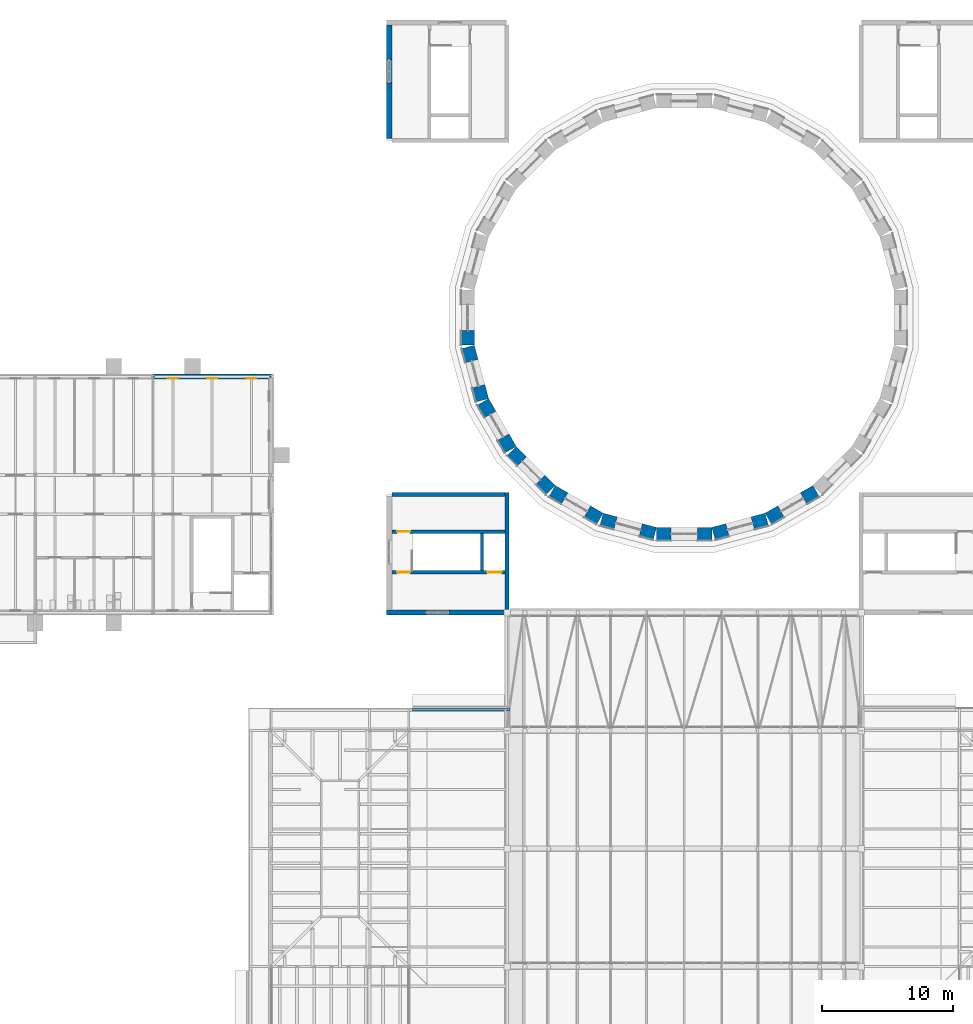
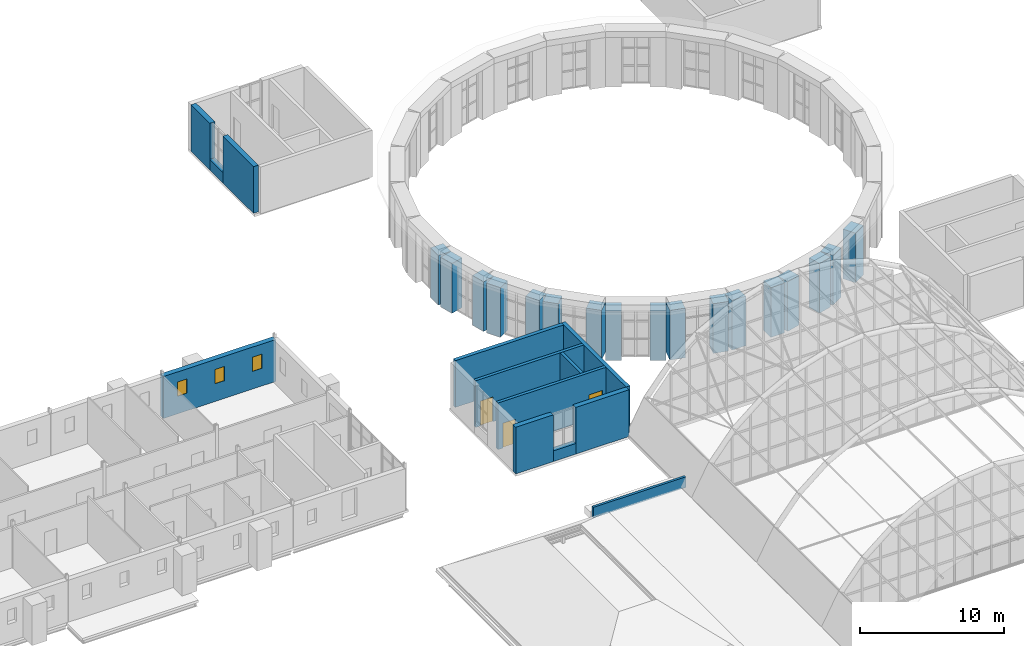
# One storey, part 95 of 121: 30 walls, 3 doors, 3 windows, 6 openings.
"""IFC4 building model written with IfcOpenShell, lengths in metres."""

from ifc_helpers import new_model, si_unit, direction, frame, frame_2d, origin, place, context, subcontext, project, spatial, rectangle, extrude, material, layer, layer_set, type_object, element, fill, save


model = new_model("IFC4")

# Units and contexts
model_context = context("Model", 3, precision=1e-05, world=origin(), true_north=direction((0.0, 1.0)))
body_context = subcontext(model_context, "Body", "Model", "MODEL_VIEW")
ifc_project = project(units=[si_unit("LENGTHUNIT", "METRE"), si_unit("AREAUNIT", "SQUARE_METRE"), si_unit("VOLUMEUNIT", "CUBIC_METRE"), si_unit("PLANEANGLEUNIT", "RADIAN"), si_unit("MASSUNIT", "GRAM", prefix="KILO")], contexts=[model_context])

# Site, building, storey
site_placement = place(None, origin())
site = spatial("IfcSite", under=ifc_project, at=site_placement, CompositionType="ELEMENT")
building_placement = place(site_placement, origin())
building = spatial("IfcBuilding", under=site, at=building_placement, Name="Golden Quay Civic Hall", CompositionType="ELEMENT")
storey_placement = place(building_placement, frame((0.0, 0.0, 18.60009765625)))
storey = spatial("IfcBuildingStorey", under=building, at=storey_placement, Name="L04", CompositionType="ELEMENT", Elevation=18.60009765625)

# Wall, openings, windows
ifc_material_1 = material(Name="Brick, dark clay facing", Category="masonry")
ifc_layer_1 = layer(ifc_material_1, 0.39990234375)
ifc_layer_set_1 = layer_set([ifc_layer_1], Name="Brick external wall 400")
wall_type_1 = type_object("IfcWallType", Name="Brick external wall 400", PredefinedType="STANDARD", material=ifc_layer_set_1)
wall_1_placement = place(storey_placement, frame((45.00830078125, 81.0, 0.0), z_axis=(0.0, 0.0, 1.0), x_axis=(1.0, 0.0, 0.0)))
wall_1 = element("IfcWall", 1, at=wall_1_placement, inside=storey, type_object=wall_type_1, Name="Brick external wall 400 L04 5", PredefinedType="STANDARD", context=body_context, shape_type="SweptSolid", body=[
    extrude(rectangle(XDim=8.9833984375, YDim=0.39990234375, at=frame_2d((4.49169921875, 0.0))), origin(), (0.0, 0.0, 1.0), 3.5498046875),
])
opening_1_placement = place(wall_1_placement, frame((1.11669921875, 0.0, 1.5)))
opening_1 = element("IfcOpeningElement", 2, at=opening_1_placement, cuts=wall_1, Name="Opening WN11", PredefinedType="OPENING", context=body_context, shape_type="SweptSolid", body=[
    extrude(rectangle(XDim=0.75, YDim=1.199951171875, at=frame_2d((0.375, 0.60009765625))), frame((0.0, 0.2099609375, 0.0), z_axis=(0.0, -1.0, 0.0), x_axis=(1.0, 0.0, 0.0)), (0.0, 0.0, 1.0), 0.419921875),
])
opening_2_placement = place(wall_1_placement, frame((4.11669921875, 0.0, 1.5)))
opening_2 = element("IfcOpeningElement", 3, at=opening_2_placement, cuts=wall_1, Name="Opening WN11", PredefinedType="OPENING", context=body_context, shape_type="SweptSolid", body=[
    extrude(rectangle(XDim=0.75, YDim=1.199951171875, at=frame_2d((0.375, 0.60009765625))), frame((0.0, 0.2099609375, 0.0), z_axis=(0.0, -1.0, 0.0), x_axis=(1.0, 0.0, 0.0)), (0.0, 0.0, 1.0), 0.419921875),
])
opening_3_placement = place(wall_1_placement, frame((7.11669921875, 0.0, 1.5)))
opening_3 = element("IfcOpeningElement", 4, at=opening_3_placement, cuts=wall_1, Name="Opening WN11", PredefinedType="OPENING", context=body_context, shape_type="SweptSolid", body=[
    extrude(rectangle(XDim=0.75, YDim=1.199951171875, at=frame_2d((0.375, 0.60009765625))), frame((0.0, 0.2099609375, 0.0), z_axis=(0.0, -1.0, 0.0), x_axis=(1.0, 0.0, 0.0)), (0.0, 0.0, 1.0), 0.419921875),
])
ifc_material_2 = material(Name="Aluminium frame, double glazed", Category="aluminium")
window_type = type_object("IfcWindowType", Name="Attic pair window 750 x 1200", PartitioningType="SINGLE_PANEL", PredefinedType="WINDOW", material=ifc_material_2)
window_1_placement = place(opening_1_placement, origin())
window_1 = element("IfcWindow", 5, at=window_1_placement, inside=storey, type_object=window_type, Name="Attic pair window 750 x 1200 L04 10", OverallHeight=1.199951171875, OverallWidth=0.75, PartitioningType="SINGLE_PANEL", PredefinedType="WINDOW", context=body_context, shape_type="SweptSolid", body=[
    extrude(rectangle(XDim=0.75, YDim=1.199951171875, at=frame_2d((0.375, 0.60009765625))), frame((0.0, -0.119873046875, 0.0), z_axis=(0.0, -1.0, 0.0), x_axis=(1.0, 0.0, 0.0)), (0.0, 0.0, 1.0), 0.06005859375),
])
fill(opening_1, window_1)
window_2_placement = place(opening_2_placement, origin())
window_2 = element("IfcWindow", 6, at=window_2_placement, inside=storey, type_object=window_type, Name="Attic pair window 750 x 1200 L04 11", OverallHeight=1.199951171875, OverallWidth=0.75, PartitioningType="SINGLE_PANEL", PredefinedType="WINDOW", context=body_context, shape_type="SweptSolid", body=[
    extrude(rectangle(XDim=0.75, YDim=1.199951171875, at=frame_2d((0.375, 0.60009765625))), frame((0.0, -0.119873046875, 0.0), z_axis=(0.0, -1.0, 0.0), x_axis=(1.0, 0.0, 0.0)), (0.0, 0.0, 1.0), 0.06005859375),
])
fill(opening_2, window_2)
window_3_placement = place(opening_3_placement, origin())
window_3 = element("IfcWindow", 7, at=window_3_placement, inside=storey, type_object=window_type, Name="Attic pair window 750 x 1200 L04 12", OverallHeight=1.199951171875, OverallWidth=0.75, PartitioningType="SINGLE_PANEL", PredefinedType="WINDOW", context=body_context, shape_type="SweptSolid", body=[
    extrude(rectangle(XDim=0.75, YDim=1.199951171875, at=frame_2d((0.375, 0.60009765625))), frame((0.0, -0.119873046875, 0.0), z_axis=(0.0, -1.0, 0.0), x_axis=(1.0, 0.0, 0.0)), (0.0, 0.0, 1.0), 0.06005859375),
])
fill(opening_3, window_3)

# Walls
ifc_material_3 = material(Name="Brick, dark clay facing", Category="masonry")
ifc_layer_2 = layer(ifc_material_3, 0.199951171875)
ifc_layer_set_2 = layer_set([ifc_layer_2], Name="Parapet 200 x 900")
wall_type_2 = type_object("IfcWallType", Name="Parapet 200 x 900", PredefinedType="PARAPET", material=ifc_layer_set_2)
wall_2_placement = place(storey_placement, frame((64.800048828125, 55.60009765625, 0.0), z_axis=(0.0, 0.0, 1.0), x_axis=(1.0, 0.0, 0.0)))
element("IfcWall", 8, at=wall_2_placement, inside=storey, type_object=wall_type_2, Name="Parapet 200 x 900 L04 2", PredefinedType="PARAPET", context=body_context, shape_type="SweptSolid", body=[
    extrude(rectangle(XDim=7.39990234375, YDim=0.199951171875, at=frame_2d((3.699951171875, 0.0))), origin(), (0.0, 0.0, 1.0), 0.89990234375),
])
ifc_material_4 = material(Name="Concrete C40/50", Category="concrete")
ifc_layer_3 = layer(ifc_material_4, 1.0)
ifc_layer_set_3 = layer_set([ifc_layer_3], Name="Reinforced concrete drum wall 1000, Concrete C40/50")
wall_type_3 = type_object("IfcWallType", Name="Reinforced concrete drum wall 1000", PredefinedType="SHEAR", material=ifc_layer_set_3)
for number, where, z_axis, x_axis, name in (
    (9, (69.0, 84.5, -0.2001953125), (0.0, 0.0, 1.0), (0.0, -1.0, 0.0), "Council drum pier 12.2"),
    (10, (69.01708984375, 83.26416015625, -0.2001953125), (0.0, 0.0, 1.0), (0.258802254758, -0.965930325092, 0.0), "Council drum pier 13.1"),
    (11, (69.821044921875, 80.263671875, -0.2001953125), (0.0, 0.0, 1.0), (0.258802254758, -0.965930325092, 0.0), "Council drum pier 13.2"),
    (12, (70.157470703125, 79.07421875, -0.2001953125), (0.0, 0.0, 1.0), (0.499983483481, -0.866034939391, 0.0), "Council drum pier 14.1"),
    (13, (71.710693359375, 76.384033203125, -0.2001953125), (0.0, 0.0, 1.0), (0.499983483481, -0.866034939391, 0.0), "Council drum pier 14.2"),
    (14, (72.34326171875, 75.322265625, -0.2001953125), (0.0, 0.0, 1.0), (0.706996442298, -0.70721710286, 0.0), "Council drum pier 15.1"),
    (15, (74.539794921875, 73.12548828125, -0.2001953125), (0.0, 0.0, 1.0), (0.70721710286, -0.706996442298, 0.0), "Council drum pier 15.2"),
    (16, (75.42578125, 72.263916015625, -0.2001953125), (0.0, 0.0, 1.0), (0.866034939391, -0.499983483481, 0.0), "Council drum pier 16.1"),
    (17, (78.115966796875, 70.710693359375, -0.2001953125), (0.0, 0.0, 1.0), (0.866034939391, -0.499983483481, 0.0), "Council drum pier 16.2"),
    (18, (79.19482421875, 70.107421875, -0.2001953125), (0.0, 0.0, 1.0), (0.965930325092, -0.258802254758, 0.0), "Council drum pier 17.1"),
    (19, (82.1953125, 69.303466796875, -0.2001953125), (0.0, 0.0, 1.0), (0.965930325092, -0.258802254758, 0.0), "Council drum pier 17.2"),
    (20, (83.3935546875, 69.0, -0.2001953125), (0.0, 0.0, 1.0), (1.0, 0.0, 0.0), "Council drum pier 18.1"),
    (21, (86.5, 69.0, -0.2001953125), (0.0, 0.0, 1.0), (1.0, 0.0, 0.0), "Council drum pier 18.2"),
    (22, (87.73583984375, 69.01708984375, -0.2001953125), (0.0, 0.0, 1.0), (0.965930325092, 0.258802254758, 0.0), "Council drum pier 19.1"),
    (23, (90.736328125, 69.821044921875, -0.2001953125), (0.0, 0.0, 1.0), (0.965930325092, 0.258802254758, 0.0), "Council drum pier 19.2"),
    (24, (91.92578125, 70.157470703125, -0.2001953125), (0.0, 0.0, 1.0), (0.866034939391, 0.499983483481, 0.0), "Council drum pier 20.1"),
    (25, (94.615966796875, 71.710693359375, -0.2001953125), (0.0, 0.0, 1.0), (0.866034939391, 0.499983483481, 0.0), "Council drum pier 20.2"),
):
    element("IfcWall", number, at=place(storey_placement, frame(where, z_axis=z_axis, x_axis=x_axis)), inside=storey, type_object=wall_type_3, Name=name, PredefinedType="SHEAR", context=body_context, shape_type="SweptSolid", body=[
        extrude(rectangle(XDim=1.1064453125, YDim=1.0, at=frame_2d((0.55322265625, 0.0))), origin(), (0.0, 0.0, 1.0), 4.2001953125),
    ])
ifc_material_5 = material(Name="Concrete C40/50", Category="concrete")
ifc_layer_4 = layer(ifc_material_5, 0.300048828125)
ifc_layer_set_4 = layer_set([ifc_layer_4], Name="Reinforced concrete pocket wall 300, Concrete C40/50")
wall_type_4 = type_object("IfcWallType", Name="Reinforced concrete pocket wall 300", PredefinedType="SHEAR", material=ifc_layer_set_4)
wall_3_placement = place(storey_placement, frame((72.0, 63.199951171875, 0.0), z_axis=(0.0, 0.0, 1.0), x_axis=(0.0, 1.0, 0.0)))
element("IfcWall", 26, at=wall_3_placement, inside=storey, type_object=wall_type_4, Name="Core wall SW A", PredefinedType="SHEAR", context=body_context, shape_type="SweptSolid", body=[
    extrude(rectangle(XDim=8.949951171875, YDim=0.300048828125, at=frame_2d((4.47509765625, 0.0))), origin(), (0.0, 0.0, 1.0), 3.949951171875),
])
wall_4_placement = place(storey_placement, frame((63.199951171875, 72.0, 0.0), z_axis=(0.0, 0.0, 1.0), x_axis=(1.0, 0.0, 0.0)))
element("IfcWall", 27, at=wall_4_placement, inside=storey, type_object=wall_type_4, Name="Core wall SW B", PredefinedType="SHEAR", context=body_context, shape_type="SweptSolid", body=[
    extrude(rectangle(XDim=8.650146484375, YDim=0.300048828125, at=frame_2d((4.3251953125, 0.0))), origin(), (0.0, 0.0, 1.0), 3.949951171875),
])

# Wall, openings, doors
ifc_material_6 = material(Name="Concrete C40/50", Category="concrete")
ifc_layer_5 = layer(ifc_material_6, 0.25)
ifc_layer_set_5 = layer_set([ifc_layer_5], Name="Reinforced concrete shaft wall 250, Concrete C40/50")
wall_type_5 = type_object("IfcWallType", Name="Reinforced concrete shaft wall 250", PredefinedType="SHEAR", material=ifc_layer_set_5)
wall_5_placement = place(storey_placement, frame((63.199951171875, 66.074951171875, 0.0), z_axis=(0.0, 0.0, 1.0), x_axis=(1.0, 0.0, 0.0)))
wall_5 = element("IfcWall", 28, at=wall_5_placement, inside=storey, type_object=wall_type_5, Name="Shaft wall SW 1", PredefinedType="SHEAR", context=body_context, shape_type="SweptSolid", body=[
    extrude(rectangle(XDim=8.650146484375, YDim=0.25, at=frame_2d((4.3251953125, 0.0))), origin(), (0.0, 0.0, 1.0), 3.949951171875),
])
opening_4_placement = place(wall_5_placement, frame((0.39990234375, 0.0, 0.0)))
opening_4 = element("IfcOpeningElement", 29, at=opening_4_placement, cuts=wall_5, Name="Opening L04-D061", PredefinedType="OPENING", context=body_context, shape_type="SweptSolid", body=[
    extrude(rectangle(XDim=1.0, YDim=2.10009765625, at=frame_2d((0.5, 1.050048828125))), frame((0.0, 0.135009765625, 0.0), z_axis=(0.0, -1.0, 0.0), x_axis=(1.0, 0.0, 0.0)), (0.0, 0.0, 1.0), 0.27001953125),
])
opening_5_placement = place(wall_5_placement, frame((7.27490234375, 0.0, 0.0)))
opening_5 = element("IfcOpeningElement", 30, at=opening_5_placement, cuts=wall_5, Name="Opening L04-D063", PredefinedType="OPENING", context=body_context, shape_type="SweptSolid", body=[
    extrude(rectangle(XDim=1.10009765625, YDim=2.10009765625, at=frame_2d((0.550048828125, 1.050048828125))), frame((0.0, 0.135009765625, 0.0), z_axis=(0.0, -1.0, 0.0), x_axis=(1.0, 0.0, 0.0)), (0.0, 0.0, 1.0), 0.27001953125),
])
ifc_material_7 = material(Name="Steel", Category="steel")
door_type_1 = type_object("IfcDoorType", Name="Lift landing door 1100 x 2100", OperationType="SLIDING_TO_LEFT", PredefinedType="DOOR", material=ifc_material_7)
door_1_placement = place(opening_5_placement, frame((1.10009765625, 0.0, 0.0), z_axis=(0.0, 0.0, 1.0), x_axis=(-1.0, 0.0, 0.0)))
door_1 = element("IfcDoor", 31, at=door_1_placement, inside=storey, type_object=door_type_1, Name="Lift SW landing door", OperationType="SLIDING_TO_LEFT", OverallHeight=2.10009765625, OverallWidth=1.10009765625, PredefinedType="DOOR", context=body_context, shape_type="SweptSolid", body=[
    extrude(rectangle(XDim=1.10009765625, YDim=2.10009765625, at=frame_2d((0.550048828125, 1.050048828125))), frame((0.0, 0.025146484375, 0.0), z_axis=(0.0, -1.0, 0.0), x_axis=(1.0, 0.0, 0.0)), (0.0, 0.0, 1.0), 0.050048828125),
])
fill(opening_5, door_1)
ifc_material_8 = material(Name="Steel", Category="steel")
door_type_2 = type_object("IfcDoorType", Name="Steel fire door FD60 1100 x 2100", OperationType="SINGLE_SWING_LEFT", PredefinedType="DOOR", material=ifc_material_8)
door_2_placement = place(opening_4_placement, origin())
door_2 = element("IfcDoor", 32, at=door_2_placement, inside=storey, type_object=door_type_2, Name="Stair door SW", OperationType="SINGLE_SWING_LEFT", OverallHeight=2.10009765625, OverallWidth=1.0, PredefinedType="DOOR", context=body_context, shape_type="SweptSolid", body=[
    extrude(rectangle(XDim=1.0, YDim=2.10009765625, at=frame_2d((0.5, 1.050048828125))), frame((0.0, 0.02490234375, 0.0), z_axis=(0.0, -1.0, 0.0), x_axis=(1.0, 0.0, 0.0)), (0.0, 0.0, 1.0), 0.050048828125),
])
fill(opening_4, door_2)

# Wall, opening, door
wall_6_placement = place(storey_placement, frame((63.199951171875, 69.175048828125, 0.0), z_axis=(0.0, 0.0, 1.0), x_axis=(1.0, 0.0, 0.0)))
wall_6 = element("IfcWall", 33, at=wall_6_placement, inside=storey, type_object=wall_type_5, Name="Shaft wall SW 2", PredefinedType="SHEAR", context=body_context, shape_type="SweptSolid", body=[
    extrude(rectangle(XDim=8.650146484375, YDim=0.25, at=frame_2d((4.3251953125, 0.0))), origin(), (0.0, 0.0, 1.0), 3.949951171875),
])
opening_6_placement = place(wall_6_placement, frame((0.39990234375, 0.0, 0.0)))
opening_6 = element("IfcOpeningElement", 34, at=opening_6_placement, cuts=wall_6, Name="Opening L04-D062", PredefinedType="OPENING", context=body_context, shape_type="SweptSolid", body=[
    extrude(rectangle(XDim=1.0, YDim=2.10009765625, at=frame_2d((0.5, 1.050048828125))), frame((0.0, 0.135009765625, 0.0), z_axis=(0.0, -1.0, 0.0), x_axis=(1.0, 0.0, 0.0)), (0.0, 0.0, 1.0), 0.27001953125),
])
door_3_placement = place(opening_6_placement, frame((1.0, 0.0, 0.0), z_axis=(0.0, 0.0, 1.0), x_axis=(-1.0, 0.0, 0.0)))
door_3 = element("IfcDoor", 35, at=door_3_placement, inside=storey, type_object=door_type_2, Name="Stair door SW north", OperationType="SINGLE_SWING_RIGHT", OverallHeight=2.10009765625, OverallWidth=1.0, PredefinedType="DOOR", context=body_context, shape_type="SweptSolid", body=[
    extrude(rectangle(XDim=1.0, YDim=2.10009765625, at=frame_2d((0.5, 1.050048828125))), frame((0.0, 0.025146484375, 0.0), z_axis=(0.0, -1.0, 0.0), x_axis=(1.0, 0.0, 0.0)), (0.0, 0.0, 1.0), 0.050048828125),
])
fill(opening_6, door_3)

# Walls
wall_7_placement = place(storey_placement, frame((70.074951171875, 66.199951171875, 0.0), z_axis=(0.0, 0.0, 1.0), x_axis=(0.0, 1.0, 0.0)))
element("IfcWall", 36, at=wall_7_placement, inside=storey, type_object=wall_type_5, Name="Shaft wall SW 3", PredefinedType="SHEAR", context=body_context, shape_type="SweptSolid", body=[
    extrude(rectangle(XDim=2.85009765625, YDim=0.25, at=frame_2d((1.425048828125, 0.0))), origin(), (0.0, 0.0, 1.0), 3.949951171875),
])
ifc_material_9 = material(Name="Brick masonry with render", Category="masonry")
ifc_layer_6 = layer(ifc_material_9, 0.39990234375)
ifc_layer_set_6 = layer_set([ifc_layer_6], Name="Rendered brick external wall 400 fire EI 120")
wall_type_6 = type_object("IfcWallType", Name="Rendered brick external wall 400 fire EI 120", PredefinedType="STANDARD", material=ifc_layer_set_6)
wall_8_placement = place(storey_placement, frame((62.800048828125, 63.0, 0.0), z_axis=(0.0, 0.0, 1.0), x_axis=(1.0, 0.0, 0.0)))
element("IfcWall", 37, at=wall_8_placement, inside=storey, type_object=wall_type_6, Name="Pocket wall SW 1", PredefinedType="STANDARD", context=body_context, shape_type="SweptSolid", body=[
    extrude(rectangle(XDim=3.0, YDim=0.39990234375, at=frame_2d((1.5, 0.0))), origin(), (0.0, 0.0, 1.0), 3.949951171875),
])
wall_9_placement = place(storey_placement, frame((67.60009765625, 63.0, 0.0), z_axis=(0.0, 0.0, 1.0), x_axis=(1.0, 0.0, 0.0)))
element("IfcWall", 38, at=wall_9_placement, inside=storey, type_object=wall_type_6, Name="Pocket wall SW 1 (beyond the bay)", PredefinedType="STANDARD", context=body_context, shape_type="SweptSolid", body=[
    extrude(rectangle(XDim=4.25, YDim=0.39990234375, at=frame_2d((2.125, 0.0))), origin(), (0.0, 0.0, 1.0), 3.949951171875),
])
wall_10_placement = place(storey_placement, frame((65.800048828125, 63.0, 0.0), z_axis=(0.0, 0.0, 1.0), x_axis=(1.0, 0.0, 0.0)))
element("IfcWall", 39, at=wall_10_placement, inside=storey, type_object=wall_type_6, Name="Pocket wall SW 1 sill", PredefinedType="STANDARD", context=body_context, shape_type="SweptSolid", body=[
    extrude(rectangle(XDim=1.800048828125, YDim=0.39990234375, at=frame_2d((0.89990234375, 0.0))), origin(), (0.0, 0.0, 1.0), 0.89990234375),
])
wall_11_placement = place(storey_placement, frame((63.0, 99.14990234375, 0.0), z_axis=(0.0, 0.0, 1.0), x_axis=(0.0, 1.0, 0.0)))
element("IfcWall", 40, at=wall_11_placement, inside=storey, type_object=wall_type_6, Name="Pocket wall NW 2", PredefinedType="STANDARD", context=body_context, shape_type="SweptSolid", body=[
    extrude(rectangle(XDim=4.25, YDim=0.39990234375, at=frame_2d((2.125, 0.0))), origin(), (0.0, 0.0, 1.0), 3.949951171875),
])
wall_12_placement = place(storey_placement, frame((63.0, 105.199951171875, 0.0), z_axis=(0.0, 0.0, 1.0), x_axis=(0.0, 1.0, 0.0)))
element("IfcWall", 41, at=wall_12_placement, inside=storey, type_object=wall_type_6, Name="Pocket wall NW 2 (beyond the bay)", PredefinedType="STANDARD", context=body_context, shape_type="SweptSolid", body=[
    extrude(rectangle(XDim=2.60009765625, YDim=0.39990234375, at=frame_2d((1.300048828125, 0.0))), origin(), (0.0, 0.0, 1.0), 3.949951171875),
])
wall_13_placement = place(storey_placement, frame((63.0, 103.39990234375, 0.0), z_axis=(0.0, 0.0, 1.0), x_axis=(0.0, 1.0, 0.0)))
element("IfcWall", 42, at=wall_13_placement, inside=storey, type_object=wall_type_6, Name="Pocket wall NW 2 sill", PredefinedType="STANDARD", context=body_context, shape_type="SweptSolid", body=[
    extrude(rectangle(XDim=1.800048828125, YDim=0.39990234375, at=frame_2d((0.89990234375, 0.0))), origin(), (0.0, 0.0, 1.0), 0.89990234375),
])

save(model, "model.ifc")
